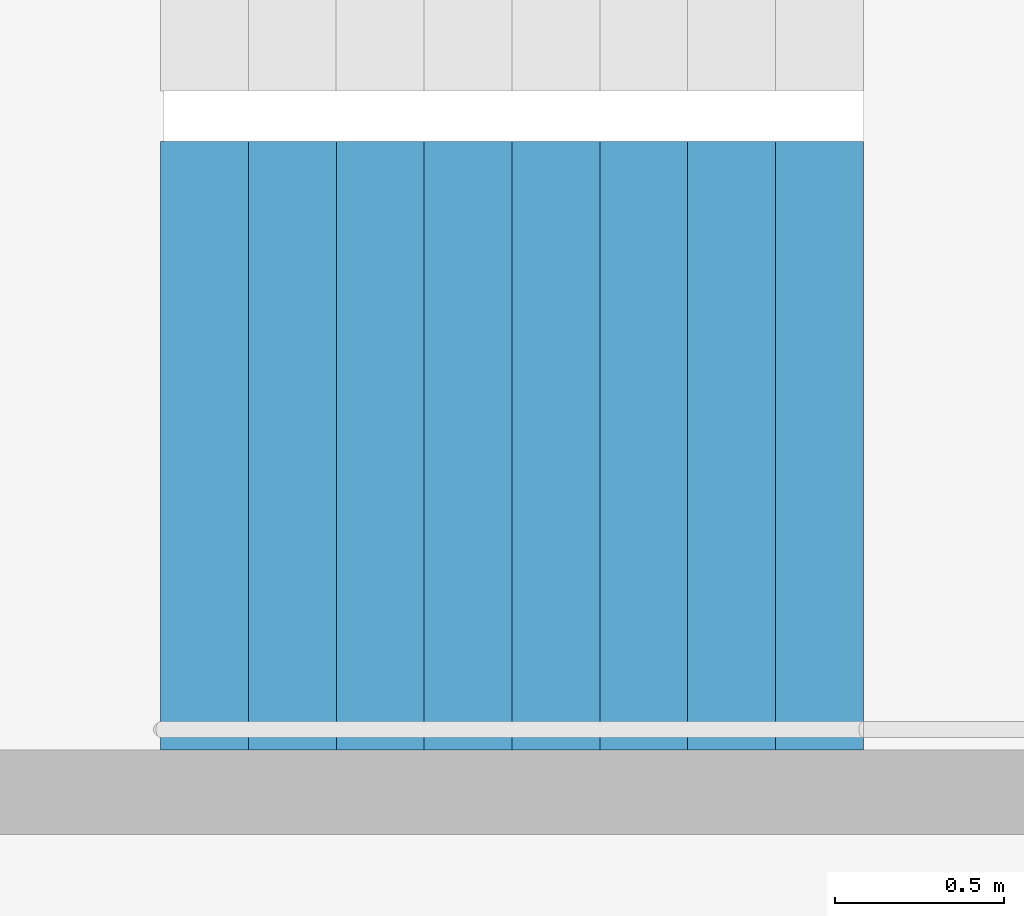
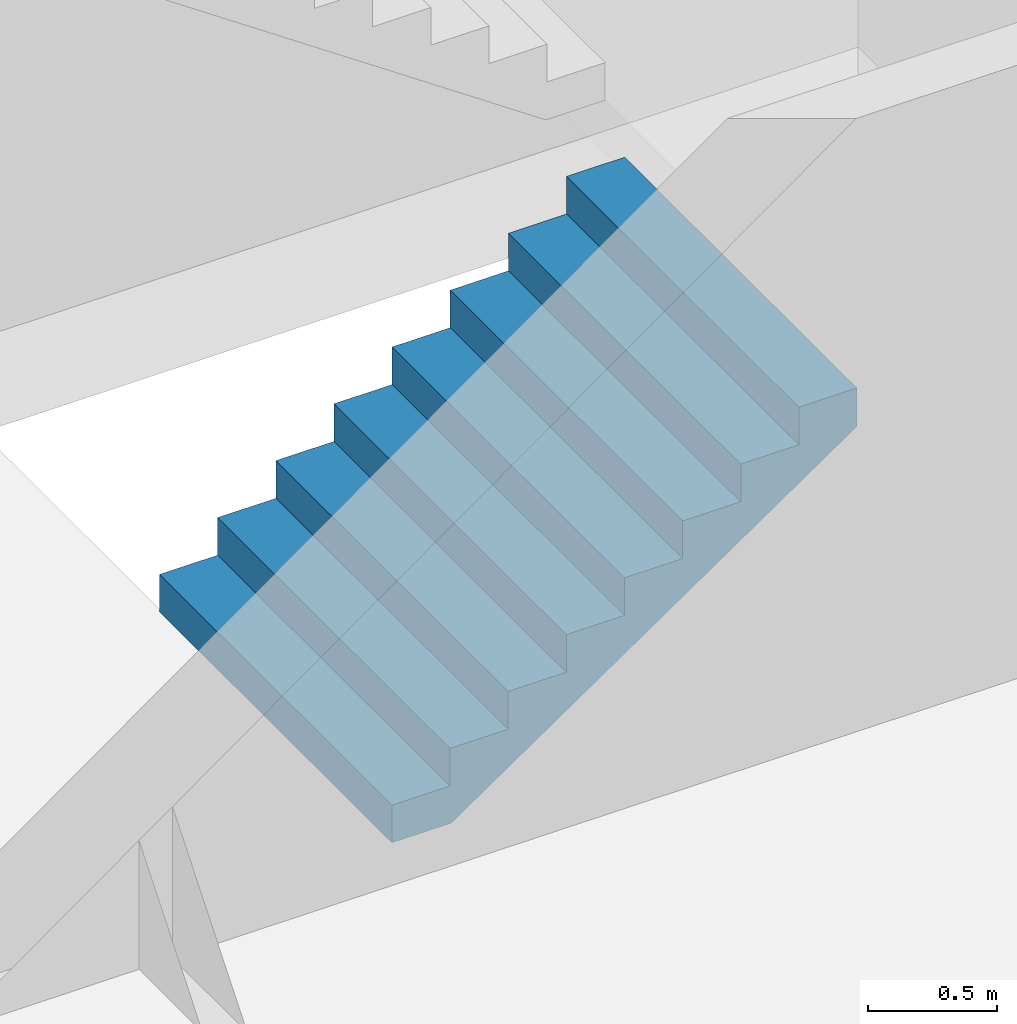
# One storey, part 20 of 26: 1 stair flight, 1 element without a shape of its own.
"""IFC4 building model written with IfcOpenShell, lengths in metres."""

from ifc_helpers import new_model, si_unit, direction, frame, origin, place, context, subcontext, project, spatial, triangles, material, type_object, element, aggregate, save


model = new_model("IFC4")

# Units and contexts
model_context = context("Model", 3, precision=1e-05, world=origin(), true_north=direction((0.0, 1.0)))
body_context = subcontext(model_context, "Body", "Model", "MODEL_VIEW")
ifc_project = project(units=[si_unit("LENGTHUNIT", "METRE"), si_unit("AREAUNIT", "SQUARE_METRE"), si_unit("VOLUMEUNIT", "CUBIC_METRE"), si_unit("PLANEANGLEUNIT", "RADIAN"), si_unit("MASSUNIT", "GRAM", prefix="KILO")], contexts=[model_context])

# Site, building, storey
site_placement = place(None, origin())
site = spatial("IfcSite", under=ifc_project, at=site_placement, CompositionType="ELEMENT")
building_placement = place(site_placement, origin())
building = spatial("IfcBuilding", under=site, at=building_placement, Name="Hakoniwa Tower and Hamabe Station Hall", CompositionType="ELEMENT")
storey_placement = place(building_placement, frame((0.0, 0.0, 225.0)))
storey = spatial("IfcBuildingStorey", under=building, at=storey_placement, Name="L64", CompositionType="ELEMENT", Elevation=225.0)

# Stair, stair flight
ifc_material_1 = material(Name="Concrete C40", Category="concrete")
stair_type = type_object("IfcStairType", Name="ESCAPE STAIR 1800", PredefinedType="HALF_TURN_STAIR", material=ifc_material_1)
stair_placement = place(storey_placement, origin())
stair = element("IfcStair", 1, at=stair_placement, inside=storey, type_object=stair_type, Name="Escape stair ST-1 L64", PredefinedType="HALF_TURN_STAIR")
ifc_material_2 = material(Name="Concrete C40", Category="concrete")
stair_flight_type = type_object("IfcStairFlightType", Name="STAIR FLIGHT 1800", PredefinedType="STRAIGHT", material=ifc_material_2)
stair_flight_placement = place(storey_placement, frame((-24.39990234375, 4.64990234375, 0.0), z_axis=(0.0, 0.0, 1.0), x_axis=(1.0, 0.0, 0.0)))
stair_flight = element("IfcStairFlight", 2, at=stair_flight_placement, type_object=stair_flight_type, Name="ST-1 flight 1", NumberOfRisers=9, NumberOfTreads=8, PredefinedType="STRAIGHT", RiserHeight=0.177777778, TreadLength=0.26, context=body_context, shape_type="Tessellation", body=[
    triangles([(0.0, 0.89990234375, 0.0), (0.260009765625, 0.89990234375, 0.0), (0.265625, 0.89990234375, 0.0), (0.52001953125, 0.89990234375, 0.174072265625), (0.780029296875, 0.89990234375, 0.351806640625), (1.0400390625, 0.89990234375, 0.529541015625), (1.300048828125, 0.89990234375, 0.707275390625), (1.56005859375, 0.89990234375, 0.885009765625), (1.820068359375, 0.89990234375, 1.062744140625), (2.080078125, 0.89990234375, 1.24072265625), (2.080078125, 0.89990234375, 1.422119140625), (1.820068359375, 0.89990234375, 1.422119140625), (1.820068359375, 0.89990234375, 1.244384765625), (1.56005859375, 0.89990234375, 1.244384765625), (1.56005859375, 0.89990234375, 1.066650390625), (1.300048828125, 0.89990234375, 1.066650390625), (1.300048828125, 0.89990234375, 0.888916015625), (1.0400390625, 0.89990234375, 0.888916015625), (1.0400390625, 0.89990234375, 0.711181640625), (0.780029296875, 0.89990234375, 0.711181640625), (0.780029296875, 0.89990234375, 0.533447265625), (0.52001953125, 0.89990234375, 0.533447265625), (0.52001953125, 0.89990234375, 0.35546875), (0.265625, 0.89990234375, 0.35546875), (0.260009765625, 0.89990234375, 0.35546875), (0.260009765625, 0.89990234375, 0.177734375), (0.0, 0.89990234375, 0.177734375), (0.0, 0.06005859375, 0.0), (0.260009765625, 0.06005859375, 0.0), (0.265625, 0.06005859375, 0.0), (0.52001953125, 0.06005859375, 0.174072265625), (0.780029296875, 0.06005859375, 0.351806640625), (1.0400390625, 0.06005859375, 0.529541015625), (1.300048828125, 0.06005859375, 0.707275390625), (1.56005859375, 0.06005859375, 0.885009765625), (1.820068359375, 0.06005859375, 1.062744140625), (2.080078125, 0.06005859375, 1.24072265625), (2.080078125, 0.06005859375, 1.422119140625), (1.820068359375, 0.06005859375, 1.422119140625), (1.820068359375, 0.06005859375, 1.244384765625), (1.56005859375, 0.06005859375, 1.244384765625), (1.56005859375, 0.06005859375, 1.066650390625), (1.300048828125, 0.06005859375, 1.066650390625), (1.300048828125, 0.06005859375, 0.888916015625), (1.0400390625, 0.06005859375, 0.888916015625), (1.0400390625, 0.06005859375, 0.711181640625), (0.780029296875, 0.06005859375, 0.711181640625), (0.780029296875, 0.06005859375, 0.533447265625), (0.52001953125, 0.06005859375, 0.533447265625), (0.52001953125, 0.06005859375, 0.35546875), (0.265625, 0.06005859375, 0.35546875), (0.260009765625, 0.06005859375, 0.35546875), (0.260009765625, 0.06005859375, 0.177734375), (0.0, 0.06005859375, 0.177734375), (0.0, 0.04296875, 0.0), (0.260009765625, 0.04296875, 0.0), (0.265625, 0.04296875, 0.0), (0.52001953125, 0.04296875, 0.174072265625), (0.780029296875, 0.04296875, 0.351806640625), (1.0400390625, 0.04296875, 0.529541015625), (1.300048828125, 0.04296875, 0.707275390625), (1.56005859375, 0.04296875, 0.885009765625), (1.820068359375, 0.04296875, 1.062744140625), (2.080078125, 0.04296875, 1.24072265625), (2.080078125, 0.04296875, 1.422119140625), (1.820068359375, 0.04296875, 1.422119140625), (1.820068359375, 0.04296875, 1.244384765625), (1.56005859375, 0.04296875, 1.244384765625), (1.56005859375, 0.04296875, 1.066650390625), (1.300048828125, 0.04296875, 1.066650390625), (1.300048828125, 0.04296875, 0.888916015625), (1.0400390625, 0.04296875, 0.888916015625), (1.0400390625, 0.04296875, 0.711181640625), (0.780029296875, 0.04296875, 0.711181640625), (0.780029296875, 0.04296875, 0.533447265625), (0.52001953125, 0.04296875, 0.533447265625), (0.52001953125, 0.04296875, 0.35546875), (0.265625, 0.04296875, 0.35546875), (0.260009765625, 0.04296875, 0.35546875), (0.260009765625, 0.04296875, 0.177734375), (0.0, 0.04296875, 0.177734375), (0.0, 0.025634765625, 0.0), (0.260009765625, 0.025634765625, 0.0), (0.265625, 0.025634765625, 0.0), (0.52001953125, 0.025634765625, 0.174072265625), (0.780029296875, 0.025634765625, 0.351806640625), (1.0400390625, 0.025634765625, 0.529541015625), (1.300048828125, 0.025634765625, 0.707275390625), (1.56005859375, 0.025634765625, 0.885009765625), (1.820068359375, 0.025634765625, 1.062744140625), (2.080078125, 0.025634765625, 1.24072265625), (2.080078125, 0.025634765625, 1.422119140625), (1.820068359375, 0.025634765625, 1.422119140625), (1.820068359375, 0.025634765625, 1.244384765625), (1.56005859375, 0.025634765625, 1.244384765625), (1.56005859375, 0.025634765625, 1.066650390625), (1.300048828125, 0.025634765625, 1.066650390625), (1.300048828125, 0.025634765625, 0.888916015625), (1.0400390625, 0.025634765625, 0.888916015625), (1.0400390625, 0.025634765625, 0.711181640625), (0.780029296875, 0.025634765625, 0.711181640625), (0.780029296875, 0.025634765625, 0.533447265625), (0.52001953125, 0.025634765625, 0.533447265625), (0.52001953125, 0.025634765625, 0.35546875), (0.265625, 0.025634765625, 0.35546875), (0.260009765625, 0.025634765625, 0.35546875), (0.260009765625, 0.025634765625, 0.177734375), (0.0, 0.025634765625, 0.177734375), (0.0, 0.008544921875, 0.0), (0.260009765625, 0.008544921875, 0.0), (0.265625, 0.008544921875, 0.0), (0.52001953125, 0.008544921875, 0.174072265625), (0.780029296875, 0.008544921875, 0.351806640625), (1.0400390625, 0.008544921875, 0.529541015625), (1.300048828125, 0.008544921875, 0.707275390625), (1.56005859375, 0.008544921875, 0.885009765625), (1.820068359375, 0.008544921875, 1.062744140625), (2.080078125, 0.008544921875, 1.24072265625), (2.080078125, 0.008544921875, 1.422119140625), (1.820068359375, 0.008544921875, 1.422119140625), (1.820068359375, 0.008544921875, 1.244384765625), (1.56005859375, 0.008544921875, 1.244384765625), (1.56005859375, 0.008544921875, 1.066650390625), (1.300048828125, 0.008544921875, 1.066650390625), (1.300048828125, 0.008544921875, 0.888916015625), (1.0400390625, 0.008544921875, 0.888916015625), (1.0400390625, 0.008544921875, 0.711181640625), (0.780029296875, 0.008544921875, 0.711181640625), (0.780029296875, 0.008544921875, 0.533447265625), (0.52001953125, 0.008544921875, 0.533447265625), (0.52001953125, 0.008544921875, 0.35546875), (0.265625, 0.008544921875, 0.35546875), (0.260009765625, 0.008544921875, 0.35546875), (0.260009765625, 0.008544921875, 0.177734375), (0.0, 0.008544921875, 0.177734375), (0.0, -0.008544921875, 0.0), (0.260009765625, -0.008544921875, 0.0), (0.265625, -0.008544921875, 0.0), (0.52001953125, -0.008544921875, 0.174072265625), (0.780029296875, -0.008544921875, 0.351806640625), (1.0400390625, -0.008544921875, 0.529541015625), (1.300048828125, -0.008544921875, 0.707275390625), (1.56005859375, -0.008544921875, 0.885009765625), (1.820068359375, -0.008544921875, 1.062744140625), (2.080078125, -0.008544921875, 1.24072265625), (2.080078125, -0.008544921875, 1.422119140625), (1.820068359375, -0.008544921875, 1.422119140625), (1.820068359375, -0.008544921875, 1.244384765625), (1.56005859375, -0.008544921875, 1.244384765625), (1.56005859375, -0.008544921875, 1.066650390625), (1.300048828125, -0.008544921875, 1.066650390625), (1.300048828125, -0.008544921875, 0.888916015625), (1.0400390625, -0.008544921875, 0.888916015625), (1.0400390625, -0.008544921875, 0.711181640625), (0.780029296875, -0.008544921875, 0.711181640625), (0.780029296875, -0.008544921875, 0.533447265625), (0.52001953125, -0.008544921875, 0.533447265625), (0.52001953125, -0.008544921875, 0.35546875), (0.265625, -0.008544921875, 0.35546875), (0.260009765625, -0.008544921875, 0.35546875), (0.260009765625, -0.008544921875, 0.177734375), (0.0, -0.008544921875, 0.177734375), (0.0, -0.025634765625, 0.0), (0.260009765625, -0.025634765625, 0.0), (0.265625, -0.025634765625, 0.0), (0.52001953125, -0.025634765625, 0.174072265625), (0.780029296875, -0.025634765625, 0.351806640625), (1.0400390625, -0.025634765625, 0.529541015625), (1.300048828125, -0.025634765625, 0.707275390625), (1.56005859375, -0.025634765625, 0.885009765625), (1.820068359375, -0.025634765625, 1.062744140625), (2.080078125, -0.025634765625, 1.24072265625), (2.080078125, -0.025634765625, 1.422119140625), (1.820068359375, -0.025634765625, 1.422119140625), (1.820068359375, -0.025634765625, 1.244384765625), (1.56005859375, -0.025634765625, 1.244384765625), (1.56005859375, -0.025634765625, 1.066650390625), (1.300048828125, -0.025634765625, 1.066650390625), (1.300048828125, -0.025634765625, 0.888916015625), (1.0400390625, -0.025634765625, 0.888916015625), (1.0400390625, -0.025634765625, 0.711181640625), (0.780029296875, -0.025634765625, 0.711181640625), (0.780029296875, -0.025634765625, 0.533447265625), (0.52001953125, -0.025634765625, 0.533447265625), (0.52001953125, -0.025634765625, 0.35546875), (0.265625, -0.025634765625, 0.35546875), (0.260009765625, -0.025634765625, 0.35546875), (0.260009765625, -0.025634765625, 0.177734375), (0.0, -0.025634765625, 0.177734375), (0.0, -0.04296875, 0.0), (0.260009765625, -0.04296875, 0.0), (0.265625, -0.04296875, 0.0), (0.52001953125, -0.04296875, 0.174072265625), (0.780029296875, -0.04296875, 0.351806640625), (1.0400390625, -0.04296875, 0.529541015625), (1.300048828125, -0.04296875, 0.707275390625), (1.56005859375, -0.04296875, 0.885009765625), (1.820068359375, -0.04296875, 1.062744140625), (2.080078125, -0.04296875, 1.24072265625), (2.080078125, -0.04296875, 1.422119140625), (1.820068359375, -0.04296875, 1.422119140625), (1.820068359375, -0.04296875, 1.244384765625), (1.56005859375, -0.04296875, 1.244384765625), (1.56005859375, -0.04296875, 1.066650390625), (1.300048828125, -0.04296875, 1.066650390625), (1.300048828125, -0.04296875, 0.888916015625), (1.0400390625, -0.04296875, 0.888916015625), (1.0400390625, -0.04296875, 0.711181640625), (0.780029296875, -0.04296875, 0.711181640625), (0.780029296875, -0.04296875, 0.533447265625), (0.52001953125, -0.04296875, 0.533447265625), (0.52001953125, -0.04296875, 0.35546875), (0.265625, -0.04296875, 0.35546875), (0.260009765625, -0.04296875, 0.35546875), (0.260009765625, -0.04296875, 0.177734375), (0.0, -0.04296875, 0.177734375), (0.0, -0.06005859375, 0.0), (0.260009765625, -0.06005859375, 0.0), (0.265625, -0.06005859375, 0.0), (0.52001953125, -0.06005859375, 0.174072265625), (0.780029296875, -0.06005859375, 0.351806640625), (1.0400390625, -0.06005859375, 0.529541015625), (1.300048828125, -0.06005859375, 0.707275390625), (1.56005859375, -0.06005859375, 0.885009765625), (1.820068359375, -0.06005859375, 1.062744140625), (2.080078125, -0.06005859375, 1.24072265625), (2.080078125, -0.06005859375, 1.422119140625), (1.820068359375, -0.06005859375, 1.422119140625), (1.820068359375, -0.06005859375, 1.244384765625), (1.56005859375, -0.06005859375, 1.244384765625), (1.56005859375, -0.06005859375, 1.066650390625), (1.300048828125, -0.06005859375, 1.066650390625), (1.300048828125, -0.06005859375, 0.888916015625), (1.0400390625, -0.06005859375, 0.888916015625), (1.0400390625, -0.06005859375, 0.711181640625), (0.780029296875, -0.06005859375, 0.711181640625), (0.780029296875, -0.06005859375, 0.533447265625), (0.52001953125, -0.06005859375, 0.533447265625), (0.52001953125, -0.06005859375, 0.35546875), (0.265625, -0.06005859375, 0.35546875), (0.260009765625, -0.06005859375, 0.35546875), (0.260009765625, -0.06005859375, 0.177734375), (0.0, -0.06005859375, 0.177734375), (0.0, -0.89990234375, 0.0), (0.260009765625, -0.89990234375, 0.0), (0.265625, -0.89990234375, 0.0), (0.52001953125, -0.89990234375, 0.174072265625), (0.780029296875, -0.89990234375, 0.351806640625), (1.0400390625, -0.89990234375, 0.529541015625), (1.300048828125, -0.89990234375, 0.707275390625), (1.56005859375, -0.89990234375, 0.885009765625), (1.820068359375, -0.89990234375, 1.062744140625), (2.080078125, -0.89990234375, 1.24072265625), (2.080078125, -0.89990234375, 1.422119140625), (1.820068359375, -0.89990234375, 1.422119140625), (1.820068359375, -0.89990234375, 1.244384765625), (1.56005859375, -0.89990234375, 1.244384765625), (1.56005859375, -0.89990234375, 1.066650390625), (1.300048828125, -0.89990234375, 1.066650390625), (1.300048828125, -0.89990234375, 0.888916015625), (1.0400390625, -0.89990234375, 0.888916015625), (1.0400390625, -0.89990234375, 0.711181640625), (0.780029296875, -0.89990234375, 0.711181640625), (0.780029296875, -0.89990234375, 0.533447265625), (0.52001953125, -0.89990234375, 0.533447265625), (0.52001953125, -0.89990234375, 0.35546875), (0.265625, -0.89990234375, 0.35546875), (0.260009765625, -0.89990234375, 0.35546875), (0.260009765625, -0.89990234375, 0.177734375), (0.0, -0.89990234375, 0.177734375)], [[2, 27, 26], [245, 269, 270], [2, 1, 27], [245, 270, 244], [3, 25, 24], [246, 267, 268], [3, 26, 25], [246, 268, 269], [3, 2, 26], [246, 269, 245], [4, 24, 23], [247, 266, 267], [4, 3, 24], [247, 267, 246], [5, 22, 21], [248, 264, 265], [5, 23, 22], [248, 265, 266], [5, 4, 23], [248, 266, 247], [6, 20, 19], [249, 262, 263], [6, 21, 20], [249, 263, 264], [6, 5, 21], [249, 264, 248], [7, 18, 17], [250, 260, 261], [7, 19, 18], [250, 261, 262], [7, 6, 19], [250, 262, 249], [8, 16, 15], [251, 258, 259], [8, 17, 16], [251, 259, 260], [8, 7, 17], [251, 260, 250], [9, 14, 13], [252, 256, 257], [9, 15, 14], [252, 257, 258], [9, 8, 15], [252, 258, 251], [10, 12, 11], [253, 254, 255], [10, 13, 12], [253, 255, 256], [10, 9, 13], [253, 256, 252], [1, 2, 29], [1, 29, 28], [28, 29, 56], [28, 56, 55], [55, 56, 83], [55, 83, 82], [82, 83, 110], [82, 110, 109], [109, 110, 137], [109, 137, 136], [136, 137, 164], [136, 164, 163], [163, 164, 191], [163, 191, 190], [190, 191, 218], [190, 218, 217], [217, 218, 245], [217, 245, 244], [2, 3, 30], [2, 30, 29], [29, 30, 57], [29, 57, 56], [56, 57, 84], [56, 84, 83], [83, 84, 111], [83, 111, 110], [110, 111, 138], [110, 138, 137], [137, 138, 165], [137, 165, 164], [164, 165, 192], [164, 192, 191], [191, 192, 219], [191, 219, 218], [218, 219, 246], [218, 246, 245], [3, 4, 31], [3, 31, 30], [30, 31, 58], [30, 58, 57], [57, 58, 85], [57, 85, 84], [84, 85, 112], [84, 112, 111], [111, 112, 139], [111, 139, 138], [138, 139, 166], [138, 166, 165], [165, 166, 193], [165, 193, 192], [192, 193, 220], [192, 220, 219], [219, 220, 247], [219, 247, 246], [4, 5, 32], [4, 32, 31], [31, 32, 59], [31, 59, 58], [58, 59, 86], [58, 86, 85], [85, 86, 113], [85, 113, 112], [112, 113, 140], [112, 140, 139], [139, 140, 167], [139, 167, 166], [166, 167, 194], [166, 194, 193], [193, 194, 221], [193, 221, 220], [220, 221, 248], [220, 248, 247], [5, 6, 33], [5, 33, 32], [32, 33, 60], [32, 60, 59], [59, 60, 87], [59, 87, 86], [86, 87, 114], [86, 114, 113], [113, 114, 141], [113, 141, 140], [140, 141, 168], [140, 168, 167], [167, 168, 195], [167, 195, 194], [194, 195, 222], [194, 222, 221], [221, 222, 249], [221, 249, 248], [6, 7, 34], [6, 34, 33], [33, 34, 61], [33, 61, 60], [60, 61, 88], [60, 88, 87], [87, 88, 115], [87, 115, 114], [114, 115, 142], [114, 142, 141], [141, 142, 169], [141, 169, 168], [168, 169, 196], [168, 196, 195], [195, 196, 223], [195, 223, 222], [222, 223, 250], [222, 250, 249], [7, 8, 35], [7, 35, 34], [34, 35, 62], [34, 62, 61], [61, 62, 89], [61, 89, 88], [88, 89, 116], [88, 116, 115], [115, 116, 143], [115, 143, 142], [142, 143, 170], [142, 170, 169], [169, 170, 197], [169, 197, 196], [196, 197, 224], [196, 224, 223], [223, 224, 251], [223, 251, 250], [8, 9, 36], [8, 36, 35], [35, 36, 63], [35, 63, 62], [62, 63, 90], [62, 90, 89], [89, 90, 117], [89, 117, 116], [116, 117, 144], [116, 144, 143], [143, 144, 171], [143, 171, 170], [170, 171, 198], [170, 198, 197], [197, 198, 225], [197, 225, 224], [224, 225, 252], [224, 252, 251], [9, 10, 37], [9, 37, 36], [36, 37, 64], [36, 64, 63], [63, 64, 91], [63, 91, 90], [90, 91, 118], [90, 118, 117], [117, 118, 145], [117, 145, 144], [144, 145, 172], [144, 172, 171], [171, 172, 199], [171, 199, 198], [198, 199, 226], [198, 226, 225], [225, 226, 253], [225, 253, 252], [10, 11, 38], [10, 38, 37], [37, 38, 65], [37, 65, 64], [64, 65, 92], [64, 92, 91], [91, 92, 119], [91, 119, 118], [118, 119, 146], [118, 146, 145], [145, 146, 173], [145, 173, 172], [172, 173, 200], [172, 200, 199], [199, 200, 227], [199, 227, 226], [226, 227, 254], [226, 254, 253], [11, 12, 39], [11, 39, 38], [38, 39, 66], [38, 66, 65], [65, 66, 93], [65, 93, 92], [92, 93, 120], [92, 120, 119], [119, 120, 147], [119, 147, 146], [146, 147, 174], [146, 174, 173], [173, 174, 201], [173, 201, 200], [200, 201, 228], [200, 228, 227], [227, 228, 255], [227, 255, 254], [12, 13, 40], [12, 40, 39], [39, 40, 67], [39, 67, 66], [66, 67, 94], [66, 94, 93], [93, 94, 121], [93, 121, 120], [120, 121, 148], [120, 148, 147], [147, 148, 175], [147, 175, 174], [174, 175, 202], [174, 202, 201], [201, 202, 229], [201, 229, 228], [228, 229, 256], [228, 256, 255], [13, 14, 41], [13, 41, 40], [40, 41, 68], [40, 68, 67], [67, 68, 95], [67, 95, 94], [94, 95, 122], [94, 122, 121], [121, 122, 149], [121, 149, 148], [148, 149, 176], [148, 176, 175], [175, 176, 203], [175, 203, 202], [202, 203, 230], [202, 230, 229], [229, 230, 257], [229, 257, 256], [14, 15, 42], [14, 42, 41], [41, 42, 69], [41, 69, 68], [68, 69, 96], [68, 96, 95], [95, 96, 123], [95, 123, 122], [122, 123, 150], [122, 150, 149], [149, 150, 177], [149, 177, 176], [176, 177, 204], [176, 204, 203], [203, 204, 231], [203, 231, 230], [230, 231, 258], [230, 258, 257], [15, 16, 43], [15, 43, 42], [42, 43, 70], [42, 70, 69], [69, 70, 97], [69, 97, 96], [96, 97, 124], [96, 124, 123], [123, 124, 151], [123, 151, 150], [150, 151, 178], [150, 178, 177], [177, 178, 205], [177, 205, 204], [204, 205, 232], [204, 232, 231], [231, 232, 259], [231, 259, 258], [16, 17, 44], [16, 44, 43], [43, 44, 71], [43, 71, 70], [70, 71, 98], [70, 98, 97], [97, 98, 125], [97, 125, 124], [124, 125, 152], [124, 152, 151], [151, 152, 179], [151, 179, 178], [178, 179, 206], [178, 206, 205], [205, 206, 233], [205, 233, 232], [232, 233, 260], [232, 260, 259], [17, 18, 45], [17, 45, 44], [44, 45, 72], [44, 72, 71], [71, 72, 99], [71, 99, 98], [98, 99, 126], [98, 126, 125], [125, 126, 153], [125, 153, 152], [152, 153, 180], [152, 180, 179], [179, 180, 207], [179, 207, 206], [206, 207, 234], [206, 234, 233], [233, 234, 261], [233, 261, 260], [18, 19, 46], [18, 46, 45], [45, 46, 73], [45, 73, 72], [72, 73, 100], [72, 100, 99], [99, 100, 127], [99, 127, 126], [126, 127, 154], [126, 154, 153], [153, 154, 181], [153, 181, 180], [180, 181, 208], [180, 208, 207], [207, 208, 235], [207, 235, 234], [234, 235, 262], [234, 262, 261], [19, 20, 47], [19, 47, 46], [46, 47, 74], [46, 74, 73], [73, 74, 101], [73, 101, 100], [100, 101, 128], [100, 128, 127], [127, 128, 155], [127, 155, 154], [154, 155, 182], [154, 182, 181], [181, 182, 209], [181, 209, 208], [208, 209, 236], [208, 236, 235], [235, 236, 263], [235, 263, 262], [20, 21, 48], [20, 48, 47], [47, 48, 75], [47, 75, 74], [74, 75, 102], [74, 102, 101], [101, 102, 129], [101, 129, 128], [128, 129, 156], [128, 156, 155], [155, 156, 183], [155, 183, 182], [182, 183, 210], [182, 210, 209], [209, 210, 237], [209, 237, 236], [236, 237, 264], [236, 264, 263], [21, 22, 49], [21, 49, 48], [48, 49, 76], [48, 76, 75], [75, 76, 103], [75, 103, 102], [102, 103, 130], [102, 130, 129], [129, 130, 157], [129, 157, 156], [156, 157, 184], [156, 184, 183], [183, 184, 211], [183, 211, 210], [210, 211, 238], [210, 238, 237], [237, 238, 265], [237, 265, 264], [22, 23, 50], [22, 50, 49], [49, 50, 77], [49, 77, 76], [76, 77, 104], [76, 104, 103], [103, 104, 131], [103, 131, 130], [130, 131, 158], [130, 158, 157], [157, 158, 185], [157, 185, 184], [184, 185, 212], [184, 212, 211], [211, 212, 239], [211, 239, 238], [238, 239, 266], [238, 266, 265], [23, 24, 51], [23, 51, 50], [50, 51, 78], [50, 78, 77], [77, 78, 105], [77, 105, 104], [104, 105, 132], [104, 132, 131], [131, 132, 159], [131, 159, 158], [158, 159, 186], [158, 186, 185], [185, 186, 213], [185, 213, 212], [212, 213, 240], [212, 240, 239], [239, 240, 267], [239, 267, 266], [24, 25, 52], [24, 52, 51], [51, 52, 79], [51, 79, 78], [78, 79, 106], [78, 106, 105], [105, 106, 133], [105, 133, 132], [132, 133, 160], [132, 160, 159], [159, 160, 187], [159, 187, 186], [186, 187, 214], [186, 214, 213], [213, 214, 241], [213, 241, 240], [240, 241, 268], [240, 268, 267], [25, 26, 53], [25, 53, 52], [52, 53, 80], [52, 80, 79], [79, 80, 107], [79, 107, 106], [106, 107, 134], [106, 134, 133], [133, 134, 161], [133, 161, 160], [160, 161, 188], [160, 188, 187], [187, 188, 215], [187, 215, 214], [214, 215, 242], [214, 242, 241], [241, 242, 269], [241, 269, 268], [26, 27, 54], [26, 54, 53], [53, 54, 81], [53, 81, 80], [80, 81, 108], [80, 108, 107], [107, 108, 135], [107, 135, 134], [134, 135, 162], [134, 162, 161], [161, 162, 189], [161, 189, 188], [188, 189, 216], [188, 216, 215], [215, 216, 243], [215, 243, 242], [242, 243, 270], [242, 270, 269], [27, 1, 28], [27, 28, 54], [54, 28, 55], [54, 55, 81], [81, 55, 82], [81, 82, 108], [108, 82, 109], [108, 109, 135], [135, 109, 136], [135, 136, 162], [162, 136, 163], [162, 163, 189], [189, 163, 190], [189, 190, 216], [216, 190, 217], [216, 217, 243], [243, 217, 244], [243, 244, 270]], closed=True),
])
aggregate(stair, [stair_flight])

save(model, "model.ifc")
